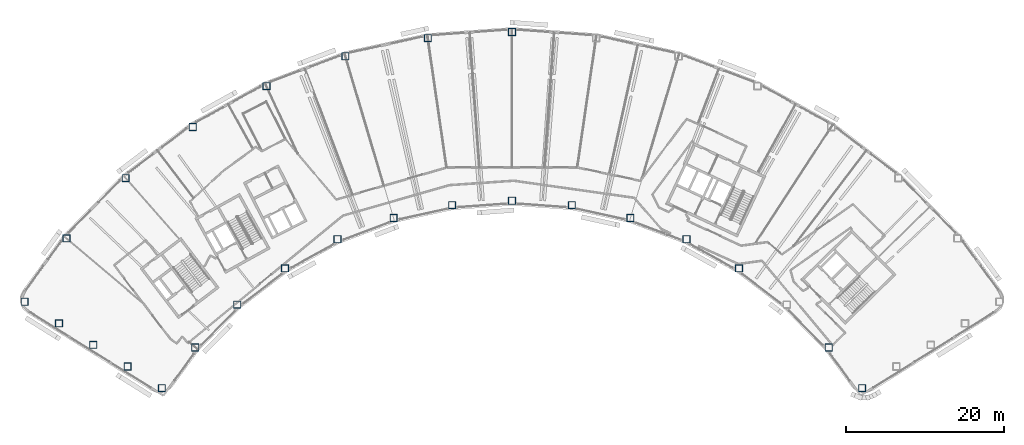
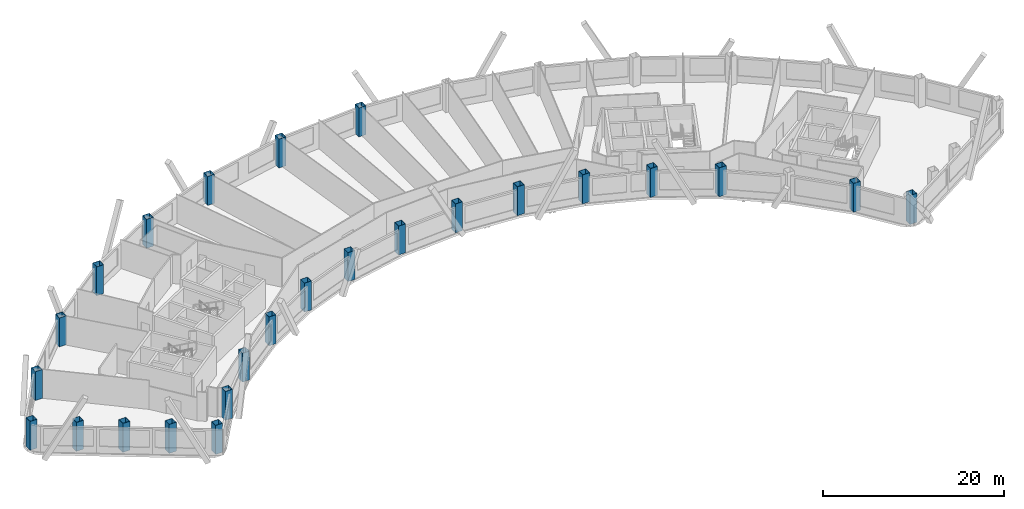
# One storey, part 1 of 14: 25 columns.
"""IFC4 building model written with IfcOpenShell, lengths in metres."""

from ifc_helpers import new_model, si_unit, direction, frame, origin, origin_2d, place, context, subcontext, project, spatial, hollow_rectangle, extrude, material, material_profile, profile_set, type_object, element, save


model = new_model("IFC4")

# Units and contexts
model_context = context("Model", 3, precision=1e-05, world=origin(), true_north=direction((0.0, 1.0)))
body_context = subcontext(model_context, "Body", "Model", "MODEL_VIEW")
ifc_project = project(units=[si_unit("LENGTHUNIT", "METRE"), si_unit("AREAUNIT", "SQUARE_METRE"), si_unit("VOLUMEUNIT", "CUBIC_METRE"), si_unit("PLANEANGLEUNIT", "RADIAN"), si_unit("MASSUNIT", "GRAM", prefix="KILO")], contexts=[model_context])

# Site, building, storey
site_placement = place(None, origin())
site = spatial("IfcSite", under=ifc_project, at=site_placement, CompositionType="ELEMENT")
building_placement = place(site_placement, origin())
building = spatial("IfcBuilding", under=site, at=building_placement, Name="Tuul Gate Civic Tower", CompositionType="ELEMENT")
storey_placement = place(building_placement, frame((0.0, 0.0, 209.5)))
storey = spatial("IfcBuildingStorey", under=building, at=storey_placement, Name="Level 47", CompositionType="ELEMENT", Elevation=209.5)

# Columns
ifc_material = material(Name="Steel S355", Category="steel")
ifc_material_profile = material_profile(ifc_material, hollow_rectangle(XDim=0.89990234375, YDim=0.89990234375, WallThickness=0.031982421875, at=origin_2d()), Name="BOX900x900x32")
ifc_profile_set = profile_set([ifc_material_profile], Name="Steel S355")
column_type = type_object("IfcColumnType", Name="STR-COLUMN-BOX900x900x32", PredefinedType="COLUMN", material=ifc_profile_set)
for number, where, z_axis, x_axis, name in (
    (1, (5.93994140625, 18.56494140625, 0.0), (0.0, 0.0, 1.0), (1.0, 0.0, 0.0), "Column"),
    (2, (-4.7099609375, 17.7939453125, 0.0), (0.0, 0.0, 1.0), (1.0, 0.0, 0.0), "Column"),
    (3, (-15.136962890625, 15.49609375, 0.0), (0.0, 0.0, 1.0), (1.0, 0.0, 0.0), "Column"),
    (4, (-25.1240234375, 11.718994140625, 0.0), (0.0, 0.0, 1.0), (1.0, 0.0, 0.0), "Column"),
    (5, (-34.462890625, 6.54296875, 0.0), (0.0, 0.0, 1.0), (1.0, 0.0, 0.0), "Column"),
    (6, (-42.9580078125, 0.074951171875, 0.0), (0.0, 0.0, 1.0), (1.0, 0.0, 0.0), "Column"),
    (7, (-50.431884765625, -7.550048828125, 0.0), (0.0, 0.0, 1.0), (1.0, 0.0, 0.0), "Column"),
    (8, (-55.73095703125, -15.56298828125, 0.0), (0.0, 0.0, 1.0), (1.0, 0.0, 0.0), "Column"),
    (9, (-51.388916015625, -18.297119140625, 0.0), (0.0, 0.0, 1.0), (1.0, 0.0, 0.0), "Column"),
    (10, (-47.0458984375, -21.031982421875, 0.0), (0.0, 0.0, 1.0), (1.0, 0.0, 0.0), "Column"),
    (11, (-42.7041015625, -23.76708984375, 0.0), (0.0, 0.0, 1.0), (1.0, 0.0, 0.0), "Column"),
    (12, (-38.361083984375, -26.5009765625, 0.0), (0.0, 0.0, 1.0), (1.0, 0.0, 0.0), "Column"),
    (13, (-34.14111328125, -21.35888671875, 0.0), (0.0, 0.0, 1.0), (1.0, 0.0, 0.0), "Column"),
    (14, (-28.826904296875, -15.93798828125, 0.0), (0.0, 0.0, 1.0), (1.0, 0.0, 0.0), "Column"),
    (15, (-22.787109375, -11.339111328125, 0.0), (0.0, 0.0, 1.0), (1.0, 0.0, 0.0), "Column"),
    (16, (-16.14697265625, -7.657958984375, 0.0), (0.0, 0.0, 1.0), (1.0, 0.0, 0.0), "Column"),
    (17, (-9.0458984375, -4.972900390625, 0.0), (0.0, 0.0, 1.0), (1.0, 0.0, 0.0), "Column"),
    (18, (-1.632080078125, -3.339111328125, 0.0), (0.0, 0.0, 1.0), (1.0, 0.0, 0.0), "Column"),
    (19, (5.93994140625, -2.7900390625, 0.0), (0.0, 0.0, 1.0), (1.0, 0.0, 0.0), "Column"),
    (20, (13.511962890625, -3.339111328125, 0.0), (0.0, 0.0, 1.0), (1.0, 0.0, 0.0), "Column"),
    (21, (20.925048828125, -4.972900390625, 0.0), (0.0, 0.0, 1.0), (1.0, 0.0, 0.0), "Column"),
    (22, (28.02587890625, -7.657958984375, 0.0), (0.0, 0.0, 1.0), (1.0, 0.0, 0.0), "Column"),
    (23, (34.666015625, -11.339111328125, 0.0), (0.0, 0.0, 1.0), (1.0, 0.0, 0.0), "Column"),
    (24, (46.02099609375, -21.35888671875, 0.0), (0.0, 0.0, 1.0), (1.0, 0.0, 0.0), "Column"),
    (25, (50.240966796875, -26.5009765625, 0.0), (0.0, 0.0, 1.0), (1.0, 0.0, 0.0), "Column"),
):
    element("IfcColumn", number, at=place(storey_placement, frame(where, z_axis=z_axis, x_axis=x_axis)), inside=storey, type_object=column_type, Name=name, PredefinedType="COLUMN", context=body_context, shape_type="SweptSolid", body=[
        extrude(hollow_rectangle(XDim=0.89990234375, YDim=0.89990234375, WallThickness=0.031982421875, at=origin_2d()), origin(), (0.0, 0.0, 1.0), 3.89990234375),
    ])

save(model, "model.ifc")
